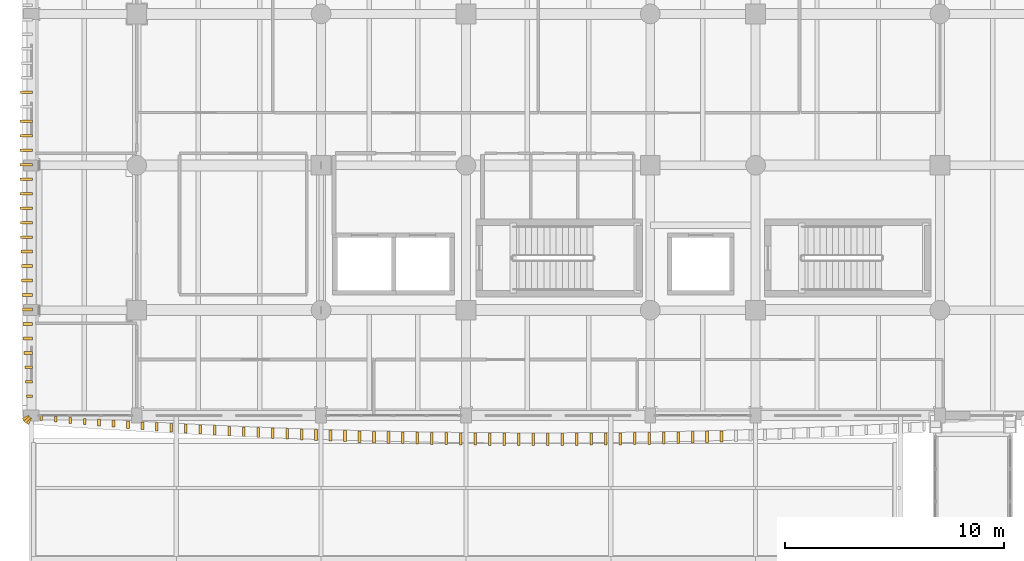
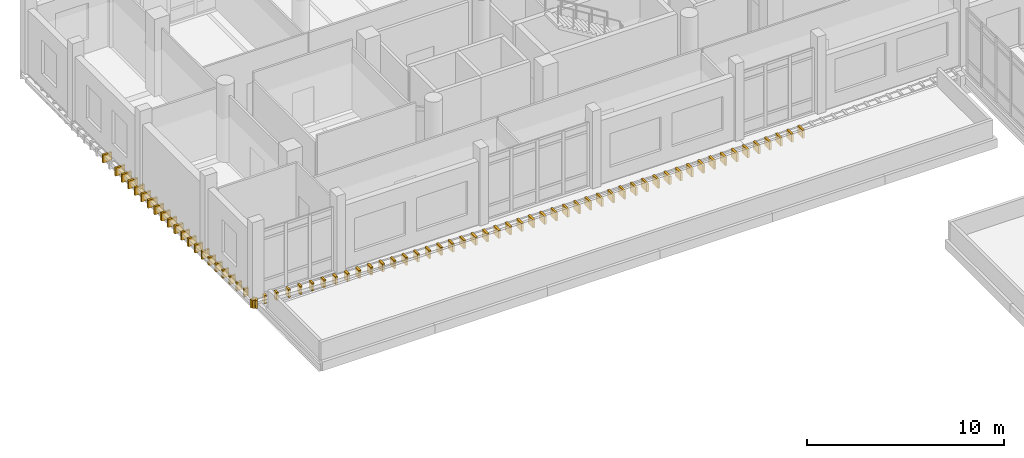
# One storey, part 119 of 125: 72 coverings.
"""IFC4 building model written with IfcOpenShell, lengths in metres."""

from ifc_helpers import new_model, si_unit, direction, frame, origin, origin_2d, place, context, subcontext, project, spatial, rectangle, extrude, material, layer, layer_set, type_object, element, save


model = new_model("IFC4")

# Units and contexts
model_context = context("Model", 3, precision=1e-05, world=origin(), true_north=direction((0.0, 1.0)))
body_context = subcontext(model_context, "Body", "Model", "MODEL_VIEW")
ifc_project = project(units=[si_unit("LENGTHUNIT", "METRE"), si_unit("AREAUNIT", "SQUARE_METRE"), si_unit("VOLUMEUNIT", "CUBIC_METRE"), si_unit("PLANEANGLEUNIT", "RADIAN"), si_unit("MASSUNIT", "GRAM", prefix="KILO")], contexts=[model_context])

# Site, building, storey
site_placement = place(None, origin())
site = spatial("IfcSite", under=ifc_project, at=site_placement, CompositionType="ELEMENT")
building_placement = place(site_placement, origin())
building = spatial("IfcBuilding", under=site, at=building_placement, Name="Dornvale Research Institute", CompositionType="ELEMENT")
storey_placement = place(building_placement, frame((0.0, 0.0, 5.39990234375)))
storey = spatial("IfcBuildingStorey", under=building, at=storey_placement, Name="L01", CompositionType="ELEMENT", Elevation=5.39990234375)

# Coverings
ifc_material = material(Name="Polychrome Glazed Terracotta Visor Rib Ceramic", Category="masonry")
ifc_layer = layer(ifc_material, 0.1201171875)
ifc_layer_set = layer_set([ifc_layer], Name="Polychrome Glazed Terracotta Visor Rib Ceramic")
covering_type = type_object("IfcCoveringType", Name="Covering_VisorBlade_Main", PredefinedType="CLADDING", material=ifc_layer_set)
covering_1_placement = place(storey_placement, frame((0.448974609375, 98.8916015625, -0.489990234375), z_axis=(0.0, 0.0, 1.0), x_axis=(0.0, 1.0, 0.0)))
element("IfcCovering", 1, at=covering_1_placement, inside=storey, type_object=covering_type, Name="L01 V5 canted glazed terracotta visor blade #1", PredefinedType="CLADDING", context=body_context, shape_type="SweptSolid", body=[
    extrude(rectangle(XDim=0.23291015625, YDim=0.1201171875, at=origin_2d()), origin(), (0.0, 0.0, 1.0), 0.5),
])
covering_2_placement = place(storey_placement, frame((1.107177734375, 98.83544921875, -0.489990234375), z_axis=(0.0, 0.0, 1.0), x_axis=(0.0, 1.0, 0.0)))
element("IfcCovering", 2, at=covering_2_placement, inside=storey, type_object=covering_type, Name="L01 V5 canted glazed terracotta visor blade #2", PredefinedType="CLADDING", context=body_context, shape_type="SweptSolid", body=[
    extrude(rectangle(XDim=0.251953125, YDim=0.1201171875, at=origin_2d()), origin(), (0.0, 0.0, 1.0), 0.5),
])
covering_3_placement = place(storey_placement, frame((1.765625, 98.7802734375, -0.489990234375), z_axis=(0.0, 0.0, 1.0), x_axis=(0.0, 1.0, 0.0)))
element("IfcCovering", 3, at=covering_3_placement, inside=storey, type_object=covering_type, Name="L01 V5 canted glazed terracotta visor blade #3", PredefinedType="CLADDING", context=body_context, shape_type="SweptSolid", body=[
    extrude(rectangle(XDim=0.27001953125, YDim=0.1201171875, at=origin_2d()), origin(), (0.0, 0.0, 1.0), 0.5),
])
covering_4_placement = place(storey_placement, frame((2.42431640625, 98.72802734375, -0.489990234375), z_axis=(0.0, 0.0, 1.0), x_axis=(0.0, 1.0, 0.0)))
element("IfcCovering", 4, at=covering_4_placement, inside=storey, type_object=covering_type, Name="L01 V5 canted glazed terracotta visor blade #4", PredefinedType="CLADDING", context=body_context, shape_type="SweptSolid", body=[
    extrude(rectangle(XDim=0.2880859375, YDim=0.1201171875, at=origin_2d()), origin(), (0.0, 0.0, 1.0), 0.5),
])
covering_5_placement = place(storey_placement, frame((3.082763671875, 98.67626953125, -0.489990234375), z_axis=(0.0, 0.0, 1.0), x_axis=(0.0, 1.0, 0.0)))
element("IfcCovering", 5, at=covering_5_placement, inside=storey, type_object=covering_type, Name="L01 V5 canted glazed terracotta visor blade #5", PredefinedType="CLADDING", context=body_context, shape_type="SweptSolid", body=[
    extrude(rectangle(XDim=0.304931640625, YDim=0.1201171875, at=origin_2d()), origin(), (0.0, 0.0, 1.0), 0.5),
])
covering_6_placement = place(storey_placement, frame((3.741455078125, 98.627197265625, -0.489990234375), z_axis=(0.0, 0.0, 1.0), x_axis=(0.0, 1.0, 0.0)))
element("IfcCovering", 6, at=covering_6_placement, inside=storey, type_object=covering_type, Name="L01 V5 canted glazed terracotta visor blade #6", PredefinedType="CLADDING", context=body_context, shape_type="SweptSolid", body=[
    extrude(rectangle(XDim=0.321044921875, YDim=0.1201171875, at=origin_2d()), origin(), (0.0, 0.0, 1.0), 0.5),
])
covering_7_placement = place(storey_placement, frame((4.400390625, 98.579345703125, -0.489990234375), z_axis=(0.0, 0.0, 1.0), x_axis=(0.0, 1.0, 0.0)))
element("IfcCovering", 7, at=covering_7_placement, inside=storey, type_object=covering_type, Name="L01 V5 canted glazed terracotta visor blade #7", PredefinedType="CLADDING", context=body_context, shape_type="SweptSolid", body=[
    extrude(rectangle(XDim=0.3369140625, YDim=0.1201171875, at=origin_2d()), origin(), (0.0, 0.0, 1.0), 0.5),
])
covering_8_placement = place(storey_placement, frame((5.05908203125, 98.5322265625, -0.489990234375), z_axis=(0.0, 0.0, 1.0), x_axis=(0.0, 1.0, 0.0)))
element("IfcCovering", 8, at=covering_8_placement, inside=storey, type_object=covering_type, Name="L01 V5 canted glazed terracotta visor blade #8", PredefinedType="CLADDING", context=body_context, shape_type="SweptSolid", body=[
    extrude(rectangle(XDim=0.35302734375, YDim=0.1201171875, at=origin_2d()), origin(), (0.0, 0.0, 1.0), 0.5),
])
covering_9_placement = place(storey_placement, frame((5.718017578125, 98.48828125, -0.489990234375), z_axis=(0.0, 0.0, 1.0), x_axis=(0.0, 1.0, 0.0)))
element("IfcCovering", 9, at=covering_9_placement, inside=storey, type_object=covering_type, Name="L01 V5 canted glazed terracotta visor blade #9", PredefinedType="CLADDING", context=body_context, shape_type="SweptSolid", body=[
    extrude(rectangle(XDim=0.367919921875, YDim=0.1201171875, at=origin_2d()), origin(), (0.0, 0.0, 1.0), 0.5),
])
covering_10_placement = place(storey_placement, frame((6.377197265625, 98.445068359375, -0.489990234375), z_axis=(0.0, 0.0, 1.0), x_axis=(0.0, 1.0, 0.0)))
element("IfcCovering", 10, at=covering_10_placement, inside=storey, type_object=covering_type, Name="L01 V5 canted glazed terracotta visor blade #10", PredefinedType="CLADDING", context=body_context, shape_type="SweptSolid", body=[
    extrude(rectangle(XDim=0.382080078125, YDim=0.1201171875, at=origin_2d()), origin(), (0.0, 0.0, 1.0), 0.5),
])
covering_11_placement = place(storey_placement, frame((7.0361328125, 98.40380859375, -0.489990234375), z_axis=(0.0, 0.0, 1.0), x_axis=(0.0, 1.0, 0.0)))
element("IfcCovering", 11, at=covering_11_placement, inside=storey, type_object=covering_type, Name="L01 V5 canted glazed terracotta visor blade #11", PredefinedType="CLADDING", context=body_context, shape_type="SweptSolid", body=[
    extrude(rectangle(XDim=0.39599609375, YDim=0.1201171875, at=origin_2d()), origin(), (0.0, 0.0, 1.0), 0.5),
])
covering_12_placement = place(storey_placement, frame((7.6953125, 98.364501953125, -0.489990234375), z_axis=(0.0, 0.0, 1.0), x_axis=(0.0, 1.0, 0.0)))
element("IfcCovering", 12, at=covering_12_placement, inside=storey, type_object=covering_type, Name="L01 V5 canted glazed terracotta visor blade #12", PredefinedType="CLADDING", context=body_context, shape_type="SweptSolid", body=[
    extrude(rectangle(XDim=0.408935546875, YDim=0.1201171875, at=origin_2d()), origin(), (0.0, 0.0, 1.0), 0.5),
])
covering_13_placement = place(storey_placement, frame((8.3544921875, 98.32568359375, -0.489990234375), z_axis=(0.0, 0.0, 1.0), x_axis=(0.0, 1.0, 0.0)))
element("IfcCovering", 13, at=covering_13_placement, inside=storey, type_object=covering_type, Name="L01 V5 canted glazed terracotta visor blade #13", PredefinedType="CLADDING", context=body_context, shape_type="SweptSolid", body=[
    extrude(rectangle(XDim=0.422119140625, YDim=0.1201171875, at=origin_2d()), origin(), (0.0, 0.0, 1.0), 0.5),
])
covering_14_placement = place(storey_placement, frame((9.013916015625, 98.290283203125, -0.489990234375), z_axis=(0.0, 0.0, 1.0), x_axis=(0.0, 1.0, 0.0)))
element("IfcCovering", 14, at=covering_14_placement, inside=storey, type_object=covering_type, Name="L01 V5 canted glazed terracotta visor blade #14", PredefinedType="CLADDING", context=body_context, shape_type="SweptSolid", body=[
    extrude(rectangle(XDim=0.43408203125, YDim=0.1201171875, at=origin_2d()), origin(), (0.0, 0.0, 1.0), 0.5),
])
covering_15_placement = place(storey_placement, frame((9.67333984375, 98.255126953125, -0.489990234375), z_axis=(0.0, 0.0, 1.0), x_axis=(0.0, 1.0, 0.0)))
element("IfcCovering", 15, at=covering_15_placement, inside=storey, type_object=covering_type, Name="L01 V5 canted glazed terracotta visor blade #15", PredefinedType="CLADDING", context=body_context, shape_type="SweptSolid", body=[
    extrude(rectangle(XDim=0.445068359375, YDim=0.1201171875, at=origin_2d()), origin(), (0.0, 0.0, 1.0), 0.5),
])
covering_16_placement = place(storey_placement, frame((10.332763671875, 98.222412109375, -0.489990234375), z_axis=(0.0, 0.0, 1.0), x_axis=(0.0, 1.0, 0.0)))
element("IfcCovering", 16, at=covering_16_placement, inside=storey, type_object=covering_type, Name="L01 V5 canted glazed terracotta visor blade #16", PredefinedType="CLADDING", context=body_context, shape_type="SweptSolid", body=[
    extrude(rectangle(XDim=0.4560546875, YDim=0.1201171875, at=origin_2d()), origin(), (0.0, 0.0, 1.0), 0.5),
])
covering_17_placement = place(storey_placement, frame((10.9921875, 98.19091796875, -0.489990234375), z_axis=(0.0, 0.0, 1.0), x_axis=(0.0, 1.0, 0.0)))
element("IfcCovering", 17, at=covering_17_placement, inside=storey, type_object=covering_type, Name="L01 V5 canted glazed terracotta visor blade #17", PredefinedType="CLADDING", context=body_context, shape_type="SweptSolid", body=[
    extrude(rectangle(XDim=0.467041015625, YDim=0.1201171875, at=origin_2d()), origin(), (0.0, 0.0, 1.0), 0.5),
])
covering_18_placement = place(storey_placement, frame((11.651611328125, 98.160400390625, -0.489990234375), z_axis=(0.0, 0.0, 1.0), x_axis=(0.0, 1.0, 0.0)))
element("IfcCovering", 18, at=covering_18_placement, inside=storey, type_object=covering_type, Name="L01 V5 canted glazed terracotta visor blade #18", PredefinedType="CLADDING", context=body_context, shape_type="SweptSolid", body=[
    extrude(rectangle(XDim=0.47705078125, YDim=0.1201171875, at=origin_2d()), origin(), (0.0, 0.0, 1.0), 0.5),
])
covering_19_placement = place(storey_placement, frame((12.311279296875, 98.133544921875, -0.489990234375), z_axis=(0.0, 0.0, 1.0), x_axis=(0.0, 1.0, 0.0)))
element("IfcCovering", 19, at=covering_19_placement, inside=storey, type_object=covering_type, Name="L01 V5 canted glazed terracotta visor blade #19", PredefinedType="CLADDING", context=body_context, shape_type="SweptSolid", body=[
    extrude(rectangle(XDim=0.486083984375, YDim=0.1201171875, at=origin_2d()), origin(), (0.0, 0.0, 1.0), 0.5),
])
covering_20_placement = place(storey_placement, frame((12.970947265625, 98.1064453125, -0.489990234375), z_axis=(0.0, 0.0, 1.0), x_axis=(0.0, 1.0, 0.0)))
element("IfcCovering", 20, at=covering_20_placement, inside=storey, type_object=covering_type, Name="L01 V5 canted glazed terracotta visor blade #20", PredefinedType="CLADDING", context=body_context, shape_type="SweptSolid", body=[
    extrude(rectangle(XDim=0.4951171875, YDim=0.1201171875, at=origin_2d()), origin(), (0.0, 0.0, 1.0), 0.5),
])
covering_21_placement = place(storey_placement, frame((13.630615234375, 98.082275390625, -0.489990234375), z_axis=(0.0, 0.0, 1.0), x_axis=(0.0, 1.0, 0.0)))
element("IfcCovering", 21, at=covering_21_placement, inside=storey, type_object=covering_type, Name="L01 V5 canted glazed terracotta visor blade #21", PredefinedType="CLADDING", context=body_context, shape_type="SweptSolid", body=[
    extrude(rectangle(XDim=0.5029296875, YDim=0.1201171875, at=origin_2d()), origin(), (0.0, 0.0, 1.0), 0.5),
])
covering_22_placement = place(storey_placement, frame((14.290283203125, 98.05908203125, -0.489990234375), z_axis=(0.0, 0.0, 1.0), x_axis=(0.0, 1.0, 0.0)))
element("IfcCovering", 22, at=covering_22_placement, inside=storey, type_object=covering_type, Name="L01 V5 canted glazed terracotta visor blade #22", PredefinedType="CLADDING", context=body_context, shape_type="SweptSolid", body=[
    extrude(rectangle(XDim=0.510986328125, YDim=0.1201171875, at=origin_2d()), origin(), (0.0, 0.0, 1.0), 0.5),
])
covering_23_placement = place(storey_placement, frame((14.9501953125, 98.037109375, -0.489990234375), z_axis=(0.0, 0.0, 1.0), x_axis=(0.0, 1.0, 0.0)))
element("IfcCovering", 23, at=covering_23_placement, inside=storey, type_object=covering_type, Name="L01 V5 canted glazed terracotta visor blade #23", PredefinedType="CLADDING", context=body_context, shape_type="SweptSolid", body=[
    extrude(rectangle(XDim=0.51806640625, YDim=0.1201171875, at=origin_2d()), origin(), (0.0, 0.0, 1.0), 0.5),
])
covering_24_placement = place(storey_placement, frame((15.60986328125, 98.018310546875, -0.489990234375), z_axis=(0.0, 0.0, 1.0), x_axis=(0.0, 1.0, 0.0)))
element("IfcCovering", 24, at=covering_24_placement, inside=storey, type_object=covering_type, Name="L01 V5 canted glazed terracotta visor blade #24", PredefinedType="CLADDING", context=body_context, shape_type="SweptSolid", body=[
    extrude(rectangle(XDim=0.52392578125, YDim=0.1201171875, at=origin_2d()), origin(), (0.0, 0.0, 1.0), 0.5),
])
covering_25_placement = place(storey_placement, frame((16.269775390625, 97.999755859375, -0.489990234375), z_axis=(0.0, 0.0, 1.0), x_axis=(0.0, 1.0, 0.0)))
element("IfcCovering", 25, at=covering_25_placement, inside=storey, type_object=covering_type, Name="L01 V5 canted glazed terracotta visor blade #25", PredefinedType="CLADDING", context=body_context, shape_type="SweptSolid", body=[
    extrude(rectangle(XDim=0.530029296875, YDim=0.1201171875, at=origin_2d()), origin(), (0.0, 0.0, 1.0), 0.5),
])
covering_26_placement = place(storey_placement, frame((16.9296875, 97.9833984375, -0.489990234375), z_axis=(0.0, 0.0, 1.0), x_axis=(0.0, 1.0, 0.0)))
element("IfcCovering", 26, at=covering_26_placement, inside=storey, type_object=covering_type, Name="L01 V5 canted glazed terracotta visor blade #26", PredefinedType="CLADDING", context=body_context, shape_type="SweptSolid", body=[
    extrude(rectangle(XDim=0.535888671875, YDim=0.1201171875, at=origin_2d()), origin(), (0.0, 0.0, 1.0), 0.5),
])
covering_27_placement = place(storey_placement, frame((17.589599609375, 97.96875, -0.489990234375), z_axis=(0.0, 0.0, 1.0), x_axis=(0.0, 1.0, 0.0)))
element("IfcCovering", 27, at=covering_27_placement, inside=storey, type_object=covering_type, Name="L01 V5 canted glazed terracotta visor blade #27", PredefinedType="CLADDING", context=body_context, shape_type="SweptSolid", body=[
    extrude(rectangle(XDim=0.541015625, YDim=0.1201171875, at=origin_2d()), origin(), (0.0, 0.0, 1.0), 0.5),
])
covering_28_placement = place(storey_placement, frame((18.24951171875, 97.955078125, -0.489990234375), z_axis=(0.0, 0.0, 1.0), x_axis=(0.0, 1.0, 0.0)))
element("IfcCovering", 28, at=covering_28_placement, inside=storey, type_object=covering_type, Name="L01 V5 canted glazed terracotta visor blade #28", PredefinedType="CLADDING", context=body_context, shape_type="SweptSolid", body=[
    extrude(rectangle(XDim=0.544921875, YDim=0.1201171875, at=origin_2d()), origin(), (0.0, 0.0, 1.0), 0.5),
])
covering_29_placement = place(storey_placement, frame((18.9091796875, 97.944580078125, -0.489990234375), z_axis=(0.0, 0.0, 1.0), x_axis=(0.0, 1.0, 0.0)))
element("IfcCovering", 29, at=covering_29_placement, inside=storey, type_object=covering_type, Name="L01 V5 canted glazed terracotta visor blade #29", PredefinedType="CLADDING", context=body_context, shape_type="SweptSolid", body=[
    extrude(rectangle(XDim=0.549072265625, YDim=0.1201171875, at=origin_2d()), origin(), (0.0, 0.0, 1.0), 0.5),
])
covering_30_placement = place(storey_placement, frame((19.5693359375, 97.934326171875, -0.489990234375), z_axis=(0.0, 0.0, 1.0), x_axis=(0.0, 1.0, 0.0)))
element("IfcCovering", 30, at=covering_30_placement, inside=storey, type_object=covering_type, Name="L01 V5 canted glazed terracotta visor blade #30", PredefinedType="CLADDING", context=body_context, shape_type="SweptSolid", body=[
    extrude(rectangle(XDim=0.552001953125, YDim=0.1201171875, at=origin_2d()), origin(), (0.0, 0.0, 1.0), 0.5),
])
covering_31_placement = place(storey_placement, frame((20.229248046875, 97.926513671875, -0.489990234375), z_axis=(0.0, 0.0, 1.0), x_axis=(0.0, 1.0, 0.0)))
element("IfcCovering", 31, at=covering_31_placement, inside=storey, type_object=covering_type, Name="L01 V5 canted glazed terracotta visor blade #31", PredefinedType="CLADDING", context=body_context, shape_type="SweptSolid", body=[
    extrude(rectangle(XDim=0.554931640625, YDim=0.1201171875, at=origin_2d()), origin(), (0.0, 0.0, 1.0), 0.5),
])
covering_32_placement = place(storey_placement, frame((20.88916015625, 97.920166015625, -0.489990234375), z_axis=(0.0, 0.0, 1.0), x_axis=(0.0, 1.0, 0.0)))
element("IfcCovering", 32, at=covering_32_placement, inside=storey, type_object=covering_type, Name="L01 V5 canted glazed terracotta visor blade #32", PredefinedType="CLADDING", context=body_context, shape_type="SweptSolid", body=[
    extrude(rectangle(XDim=0.556884765625, YDim=0.1201171875, at=origin_2d()), origin(), (0.0, 0.0, 1.0), 0.5),
])
covering_33_placement = place(storey_placement, frame((21.54931640625, 97.9150390625, -0.489990234375), z_axis=(0.0, 0.0, 1.0), x_axis=(0.0, 1.0, 0.0)))
element("IfcCovering", 33, at=covering_33_placement, inside=storey, type_object=covering_type, Name="L01 V5 canted glazed terracotta visor blade #33", PredefinedType="CLADDING", context=body_context, shape_type="SweptSolid", body=[
    extrude(rectangle(XDim=0.55810546875, YDim=0.1201171875, at=origin_2d()), origin(), (0.0, 0.0, 1.0), 0.5),
])
covering_34_placement = place(storey_placement, frame((22.209228515625, 97.912841796875, -0.489990234375), z_axis=(0.0, 0.0, 1.0), x_axis=(0.0, 1.0, 0.0)))
element("IfcCovering", 34, at=covering_34_placement, inside=storey, type_object=covering_type, Name="L01 V5 canted glazed terracotta visor blade #34", PredefinedType="CLADDING", context=body_context, shape_type="SweptSolid", body=[
    extrude(rectangle(XDim=0.55908203125, YDim=0.1201171875, at=origin_2d()), origin(), (0.0, 0.0, 1.0), 0.5),
])
for number, where, z_axis, x_axis, name in (
    (35, (22.869140625, 97.91064453125, -0.489990234375), (0.0, 0.0, 1.0), (0.0, 1.0, 0.0), "L01 V5 canted glazed terracotta visor blade #35"),
    (36, (23.529296875, 97.9111328125, -0.489990234375), (0.0, 0.0, 1.0), (0.0, 1.0, 0.0), "L01 V5 canted glazed terracotta visor blade #36"),
):
    element("IfcCovering", number, at=place(storey_placement, frame(where, z_axis=z_axis, x_axis=x_axis)), inside=storey, type_object=covering_type, Name=name, PredefinedType="CLADDING", context=body_context, shape_type="SweptSolid", body=[
        extrude(rectangle(XDim=0.56005859375, YDim=0.1201171875, at=origin_2d()), origin(), (0.0, 0.0, 1.0), 0.5),
    ])
covering_35_placement = place(storey_placement, frame((24.189208984375, 97.913330078125, -0.489990234375), z_axis=(0.0, 0.0, 1.0), x_axis=(0.0, 1.0, 0.0)))
element("IfcCovering", 37, at=covering_35_placement, inside=storey, type_object=covering_type, Name="L01 V5 canted glazed terracotta visor blade #37", PredefinedType="CLADDING", context=body_context, shape_type="SweptSolid", body=[
    extrude(rectangle(XDim=0.55908203125, YDim=0.1201171875, at=origin_2d()), origin(), (0.0, 0.0, 1.0), 0.5),
])
covering_36_placement = place(storey_placement, frame((24.84912109375, 97.916015625, -0.489990234375), z_axis=(0.0, 0.0, 1.0), x_axis=(0.0, 1.0, 0.0)))
element("IfcCovering", 38, at=covering_36_placement, inside=storey, type_object=covering_type, Name="L01 V5 canted glazed terracotta visor blade #38", PredefinedType="CLADDING", context=body_context, shape_type="SweptSolid", body=[
    extrude(rectangle(XDim=0.55810546875, YDim=0.1201171875, at=origin_2d()), origin(), (0.0, 0.0, 1.0), 0.5),
])
covering_37_placement = place(storey_placement, frame((25.50927734375, 97.92236328125, -0.489990234375), z_axis=(0.0, 0.0, 1.0), x_axis=(0.0, 1.0, 0.0)))
element("IfcCovering", 39, at=covering_37_placement, inside=storey, type_object=covering_type, Name="L01 V5 canted glazed terracotta visor blade #39", PredefinedType="CLADDING", context=body_context, shape_type="SweptSolid", body=[
    extrude(rectangle(XDim=0.555908203125, YDim=0.1201171875, at=origin_2d()), origin(), (0.0, 0.0, 1.0), 0.5),
])
covering_38_placement = place(storey_placement, frame((26.169189453125, 97.928466796875, -0.489990234375), z_axis=(0.0, 0.0, 1.0), x_axis=(0.0, 1.0, 0.0)))
element("IfcCovering", 40, at=covering_38_placement, inside=storey, type_object=covering_type, Name="L01 V5 canted glazed terracotta visor blade #40", PredefinedType="CLADDING", context=body_context, shape_type="SweptSolid", body=[
    extrude(rectangle(XDim=0.553955078125, YDim=0.1201171875, at=origin_2d()), origin(), (0.0, 0.0, 1.0), 0.5),
])
covering_39_placement = place(storey_placement, frame((26.8291015625, 97.9375, -0.489990234375), z_axis=(0.0, 0.0, 1.0), x_axis=(0.0, 1.0, 0.0)))
element("IfcCovering", 41, at=covering_39_placement, inside=storey, type_object=covering_type, Name="L01 V5 canted glazed terracotta visor blade #41", PredefinedType="CLADDING", context=body_context, shape_type="SweptSolid", body=[
    extrude(rectangle(XDim=0.551025390625, YDim=0.1201171875, at=origin_2d()), origin(), (0.0, 0.0, 1.0), 0.5),
])
covering_40_placement = place(storey_placement, frame((27.489013671875, 97.947509765625, -0.489990234375), z_axis=(0.0, 0.0, 1.0), x_axis=(0.0, 1.0, 0.0)))
element("IfcCovering", 42, at=covering_40_placement, inside=storey, type_object=covering_type, Name="L01 V5 canted glazed terracotta visor blade #42", PredefinedType="CLADDING", context=body_context, shape_type="SweptSolid", body=[
    extrude(rectangle(XDim=0.548095703125, YDim=0.1201171875, at=origin_2d()), origin(), (0.0, 0.0, 1.0), 0.5),
])
covering_41_placement = place(storey_placement, frame((28.14892578125, 97.958740234375, -0.489990234375), z_axis=(0.0, 0.0, 1.0), x_axis=(0.0, 1.0, 0.0)))
element("IfcCovering", 43, at=covering_41_placement, inside=storey, type_object=covering_type, Name="L01 V5 canted glazed terracotta visor blade #43", PredefinedType="CLADDING", context=body_context, shape_type="SweptSolid", body=[
    extrude(rectangle(XDim=0.5439453125, YDim=0.1201171875, at=origin_2d()), origin(), (0.0, 0.0, 1.0), 0.5),
])
covering_42_placement = place(storey_placement, frame((28.808837890625, 97.973388671875, -0.489990234375), z_axis=(0.0, 0.0, 1.0), x_axis=(0.0, 1.0, 0.0)))
element("IfcCovering", 44, at=covering_42_placement, inside=storey, type_object=covering_type, Name="L01 V5 canted glazed terracotta visor blade #44", PredefinedType="CLADDING", context=body_context, shape_type="SweptSolid", body=[
    extrude(rectangle(XDim=0.5390625, YDim=0.1201171875, at=origin_2d()), origin(), (0.0, 0.0, 1.0), 0.5),
])
covering_43_placement = place(storey_placement, frame((29.46875, 97.988037109375, -0.489990234375), z_axis=(0.0, 0.0, 1.0), x_axis=(0.0, 1.0, 0.0)))
element("IfcCovering", 45, at=covering_43_placement, inside=storey, type_object=covering_type, Name="L01 V5 canted glazed terracotta visor blade #45", PredefinedType="CLADDING", context=body_context, shape_type="SweptSolid", body=[
    extrude(rectangle(XDim=0.533935546875, YDim=0.1201171875, at=origin_2d()), origin(), (0.0, 0.0, 1.0), 0.5),
])
covering_44_placement = place(storey_placement, frame((30.128662109375, 98.0048828125, -0.489990234375), z_axis=(0.0, 0.0, 1.0), x_axis=(0.0, 1.0, 0.0)))
element("IfcCovering", 46, at=covering_44_placement, inside=storey, type_object=covering_type, Name="L01 V5 canted glazed terracotta visor blade #46", PredefinedType="CLADDING", context=body_context, shape_type="SweptSolid", body=[
    extrude(rectangle(XDim=0.529052734375, YDim=0.1201171875, at=origin_2d()), origin(), (0.0, 0.0, 1.0), 0.5),
])
covering_45_placement = place(storey_placement, frame((30.788330078125, 98.024169921875, -0.489990234375), z_axis=(0.0, 0.0, 1.0), x_axis=(0.0, 1.0, 0.0)))
element("IfcCovering", 47, at=covering_45_placement, inside=storey, type_object=covering_type, Name="L01 V5 canted glazed terracotta visor blade #47", PredefinedType="CLADDING", context=body_context, shape_type="SweptSolid", body=[
    extrude(rectangle(XDim=0.52197265625, YDim=0.1201171875, at=origin_2d()), origin(), (0.0, 0.0, 1.0), 0.5),
])
covering_46_placement = place(storey_placement, frame((31.4482421875, 98.043212890625, -0.489990234375), z_axis=(0.0, 0.0, 1.0), x_axis=(0.0, 1.0, 0.0)))
element("IfcCovering", 48, at=covering_46_placement, inside=storey, type_object=covering_type, Name="L01 V5 canted glazed terracotta visor blade #48", PredefinedType="CLADDING", context=body_context, shape_type="SweptSolid", body=[
    extrude(rectangle(XDim=0.51611328125, YDim=0.1201171875, at=origin_2d()), origin(), (0.0, 0.0, 1.0), 0.5),
])
covering_47_placement = place(storey_placement, frame((-0.22705078125, 113.72998046875, -0.489990234375), z_axis=(0.0, 0.0, 1.0), x_axis=(1.0, 0.0, 0.0)))
element("IfcCovering", 49, at=covering_47_placement, inside=storey, type_object=covering_type, Name="L01 V5 canted glazed terracotta visor blade #172", PredefinedType="CLADDING", context=body_context, shape_type="SweptSolid", body=[
    extrude(rectangle(XDim=0.533935546875, YDim=0.1201171875, at=origin_2d()), origin(), (0.0, 0.0, 1.0), 0.5),
])
covering_48_placement = place(storey_placement, frame((-0.235595703125, 112.409912109375, -0.489990234375), z_axis=(0.0, 0.0, 1.0), x_axis=(1.0, 0.0, 0.0)))
element("IfcCovering", 50, at=covering_48_placement, inside=storey, type_object=covering_type, Name="L01 V5 canted glazed terracotta visor blade #174", PredefinedType="CLADDING", context=body_context, shape_type="SweptSolid", body=[
    extrude(rectangle(XDim=0.551025390625, YDim=0.1201171875, at=origin_2d()), origin(), (0.0, 0.0, 1.0), 0.5),
])
covering_49_placement = place(storey_placement, frame((-0.238037109375, 111.75, -0.489990234375), z_axis=(0.0, 0.0, 1.0), x_axis=(1.0, 0.0, 0.0)))
element("IfcCovering", 51, at=covering_49_placement, inside=storey, type_object=covering_type, Name="L01 V5 canted glazed terracotta visor blade #175", PredefinedType="CLADDING", context=body_context, shape_type="SweptSolid", body=[
    extrude(rectangle(XDim=0.555908203125, YDim=0.1201171875, at=origin_2d()), origin(), (0.0, 0.0, 1.0), 0.5),
])
covering_50_placement = place(storey_placement, frame((-0.239501953125, 111.090087890625, -0.489990234375), z_axis=(0.0, 0.0, 1.0), x_axis=(1.0, 0.0, 0.0)))
element("IfcCovering", 52, at=covering_50_placement, inside=storey, type_object=covering_type, Name="L01 V5 canted glazed terracotta visor blade #176", PredefinedType="CLADDING", context=body_context, shape_type="SweptSolid", body=[
    extrude(rectangle(XDim=0.55908203125, YDim=0.1201171875, at=origin_2d()), origin(), (0.0, 0.0, 1.0), 0.5),
])
covering_51_placement = place(storey_placement, frame((-0.239990234375, 110.429931640625, -0.489990234375), z_axis=(0.0, 0.0, 1.0), x_axis=(1.0, 0.0, 0.0)))
element("IfcCovering", 53, at=covering_51_placement, inside=storey, type_object=covering_type, Name="L01 V5 canted glazed terracotta visor blade #177", PredefinedType="CLADDING", context=body_context, shape_type="SweptSolid", body=[
    extrude(rectangle(XDim=0.56005859375, YDim=0.1201171875, at=origin_2d()), origin(), (0.0, 0.0, 1.0), 0.5),
])
covering_52_placement = place(storey_placement, frame((-0.239013671875, 109.77001953125, -0.489990234375), z_axis=(0.0, 0.0, 1.0), x_axis=(1.0, 0.0, 0.0)))
element("IfcCovering", 54, at=covering_52_placement, inside=storey, type_object=covering_type, Name="L01 V5 canted glazed terracotta visor blade #178", PredefinedType="CLADDING", context=body_context, shape_type="SweptSolid", body=[
    extrude(rectangle(XDim=0.55810546875, YDim=0.1201171875, at=origin_2d()), origin(), (0.0, 0.0, 1.0), 0.5),
])
covering_53_placement = place(storey_placement, frame((-0.237548828125, 109.110107421875, -0.489990234375), z_axis=(0.0, 0.0, 1.0), x_axis=(1.0, 0.0, 0.0)))
element("IfcCovering", 55, at=covering_53_placement, inside=storey, type_object=covering_type, Name="L01 V5 canted glazed terracotta visor blade #179", PredefinedType="CLADDING", context=body_context, shape_type="SweptSolid", body=[
    extrude(rectangle(XDim=0.554931640625, YDim=0.1201171875, at=origin_2d()), origin(), (0.0, 0.0, 1.0), 0.5),
])
covering_54_placement = place(storey_placement, frame((-0.234619140625, 108.449951171875, -0.489990234375), z_axis=(0.0, 0.0, 1.0), x_axis=(1.0, 0.0, 0.0)))
element("IfcCovering", 56, at=covering_54_placement, inside=storey, type_object=covering_type, Name="L01 V5 canted glazed terracotta visor blade #180", PredefinedType="CLADDING", context=body_context, shape_type="SweptSolid", body=[
    extrude(rectangle(XDim=0.549072265625, YDim=0.1201171875, at=origin_2d()), origin(), (0.0, 0.0, 1.0), 0.5),
])
covering_55_placement = place(storey_placement, frame((-0.23046875, 107.7900390625, -0.489990234375), z_axis=(0.0, 0.0, 1.0), x_axis=(1.0, 0.0, 0.0)))
element("IfcCovering", 57, at=covering_55_placement, inside=storey, type_object=covering_type, Name="L01 V5 canted glazed terracotta visor blade #181", PredefinedType="CLADDING", context=body_context, shape_type="SweptSolid", body=[
    extrude(rectangle(XDim=0.541015625, YDim=0.1201171875, at=origin_2d()), origin(), (0.0, 0.0, 1.0), 0.5),
])
covering_56_placement = place(storey_placement, frame((-0.22509765625, 107.1298828125, -0.489990234375), z_axis=(0.0, 0.0, 1.0), x_axis=(1.0, 0.0, 0.0)))
element("IfcCovering", 58, at=covering_56_placement, inside=storey, type_object=covering_type, Name="L01 V5 canted glazed terracotta visor blade #182", PredefinedType="CLADDING", context=body_context, shape_type="SweptSolid", body=[
    extrude(rectangle(XDim=0.530029296875, YDim=0.1201171875, at=origin_2d()), origin(), (0.0, 0.0, 1.0), 0.5),
])
covering_57_placement = place(storey_placement, frame((-0.218994140625, 106.469970703125, -0.489990234375), z_axis=(0.0, 0.0, 1.0), x_axis=(1.0, 0.0, 0.0)))
element("IfcCovering", 59, at=covering_57_placement, inside=storey, type_object=covering_type, Name="L01 V5 canted glazed terracotta visor blade #183", PredefinedType="CLADDING", context=body_context, shape_type="SweptSolid", body=[
    extrude(rectangle(XDim=0.51806640625, YDim=0.1201171875, at=origin_2d()), origin(), (0.0, 0.0, 1.0), 0.5),
])
covering_58_placement = place(storey_placement, frame((-0.21142578125, 105.81005859375, -0.489990234375), z_axis=(0.0, 0.0, 1.0), x_axis=(1.0, 0.0, 0.0)))
element("IfcCovering", 60, at=covering_58_placement, inside=storey, type_object=covering_type, Name="L01 V5 canted glazed terracotta visor blade #184", PredefinedType="CLADDING", context=body_context, shape_type="SweptSolid", body=[
    extrude(rectangle(XDim=0.5029296875, YDim=0.1201171875, at=origin_2d()), origin(), (0.0, 0.0, 1.0), 0.5),
])
covering_59_placement = place(storey_placement, frame((-0.202880859375, 105.14990234375, -0.489990234375), z_axis=(0.0, 0.0, 1.0), x_axis=(1.0, 0.0, 0.0)))
element("IfcCovering", 61, at=covering_59_placement, inside=storey, type_object=covering_type, Name="L01 V5 canted glazed terracotta visor blade #185", PredefinedType="CLADDING", context=body_context, shape_type="SweptSolid", body=[
    extrude(rectangle(XDim=0.486083984375, YDim=0.1201171875, at=origin_2d()), origin(), (0.0, 0.0, 1.0), 0.5),
])
covering_60_placement = place(storey_placement, frame((-0.193115234375, 104.489990234375, -0.489990234375), z_axis=(0.0, 0.0, 1.0), x_axis=(1.0, 0.0, 0.0)))
element("IfcCovering", 62, at=covering_60_placement, inside=storey, type_object=covering_type, Name="L01 V5 canted glazed terracotta visor blade #186", PredefinedType="CLADDING", context=body_context, shape_type="SweptSolid", body=[
    extrude(rectangle(XDim=0.466064453125, YDim=0.1201171875, at=origin_2d()), origin(), (0.0, 0.0, 1.0), 0.5),
])
covering_61_placement = place(storey_placement, frame((-0.1826171875, 103.830078125, -0.489990234375), z_axis=(0.0, 0.0, 1.0), x_axis=(1.0, 0.0, 0.0)))
element("IfcCovering", 63, at=covering_61_placement, inside=storey, type_object=covering_type, Name="L01 V5 canted glazed terracotta visor blade #187", PredefinedType="CLADDING", context=body_context, shape_type="SweptSolid", body=[
    extrude(rectangle(XDim=0.445068359375, YDim=0.1201171875, at=origin_2d()), origin(), (0.0, 0.0, 1.0), 0.5),
])
covering_62_placement = place(storey_placement, frame((-0.17041015625, 103.169921875, -0.489990234375), z_axis=(0.0, 0.0, 1.0), x_axis=(1.0, 0.0, 0.0)))
element("IfcCovering", 64, at=covering_62_placement, inside=storey, type_object=covering_type, Name="L01 V5 canted glazed terracotta visor blade #188", PredefinedType="CLADDING", context=body_context, shape_type="SweptSolid", body=[
    extrude(rectangle(XDim=0.4208984375, YDim=0.1201171875, at=origin_2d()), origin(), (0.0, 0.0, 1.0), 0.5),
])
covering_63_placement = place(storey_placement, frame((-0.157470703125, 102.510009765625, -0.489990234375), z_axis=(0.0, 0.0, 1.0), x_axis=(1.0, 0.0, 0.0)))
element("IfcCovering", 65, at=covering_63_placement, inside=storey, type_object=covering_type, Name="L01 V5 canted glazed terracotta visor blade #189", PredefinedType="CLADDING", context=body_context, shape_type="SweptSolid", body=[
    extrude(rectangle(XDim=0.39501953125, YDim=0.1201171875, at=origin_2d()), origin(), (0.0, 0.0, 1.0), 0.5),
])
covering_64_placement = place(storey_placement, frame((-0.1435546875, 101.85009765625, -0.489990234375), z_axis=(0.0, 0.0, 1.0), x_axis=(1.0, 0.0, 0.0)))
element("IfcCovering", 66, at=covering_64_placement, inside=storey, type_object=covering_type, Name="L01 V5 canted glazed terracotta visor blade #190", PredefinedType="CLADDING", context=body_context, shape_type="SweptSolid", body=[
    extrude(rectangle(XDim=0.366943359375, YDim=0.1201171875, at=origin_2d()), origin(), (0.0, 0.0, 1.0), 0.5),
])
covering_65_placement = place(storey_placement, frame((-0.12841796875, 101.18994140625, -0.489990234375), z_axis=(0.0, 0.0, 1.0), x_axis=(1.0, 0.0, 0.0)))
element("IfcCovering", 67, at=covering_65_placement, inside=storey, type_object=covering_type, Name="L01 V5 canted glazed terracotta visor blade #191", PredefinedType="CLADDING", context=body_context, shape_type="SweptSolid", body=[
    extrude(rectangle(XDim=0.3369140625, YDim=0.1201171875, at=origin_2d()), origin(), (0.0, 0.0, 1.0), 0.5),
])
covering_66_placement = place(storey_placement, frame((-0.112060546875, 100.530029296875, -0.489990234375), z_axis=(0.0, 0.0, 1.0), x_axis=(1.0, 0.0, 0.0)))
element("IfcCovering", 68, at=covering_66_placement, inside=storey, type_object=covering_type, Name="L01 V5 canted glazed terracotta visor blade #192", PredefinedType="CLADDING", context=body_context, shape_type="SweptSolid", body=[
    extrude(rectangle(XDim=0.303955078125, YDim=0.1201171875, at=origin_2d()), origin(), (0.0, 0.0, 1.0), 0.5),
])
covering_67_placement = place(storey_placement, frame((-0.094482421875, 99.8701171875, -0.489990234375), z_axis=(0.0, 0.0, 1.0), x_axis=(1.0, 0.0, 0.0)))
element("IfcCovering", 69, at=covering_67_placement, inside=storey, type_object=covering_type, Name="L01 V5 canted glazed terracotta visor blade #193", PredefinedType="CLADDING", context=body_context, shape_type="SweptSolid", body=[
    extrude(rectangle(XDim=0.26904296875, YDim=0.1201171875, at=origin_2d()), origin(), (0.0, 0.0, 1.0), 0.5),
])
for number, where, z_axis, x_axis, name in (
    (70, (-0.24462890625, 98.885986328125, -0.489990234375), (0.0, 0.0, 1.0), (-0.906307787037, -0.422618261741, 0.0), "L01 V5 corner-wrapping visor blade #194"),
    (71, (-0.19091796875, 98.80908203125, -0.489990234375), (0.0, 0.0, 1.0), (-0.707106781187, -0.707106781187, 0.0), "L01 V5 corner-wrapping visor blade #195"),
    (72, (-0.114013671875, 98.75537109375, -0.489990234375), (0.0, 0.0, 1.0), (-0.422618261741, -0.906307787037, 0.0), "L01 V5 corner-wrapping visor blade #196"),
):
    element("IfcCovering", number, at=place(storey_placement, frame(where, z_axis=z_axis, x_axis=x_axis)), inside=storey, type_object=covering_type, Name=name, PredefinedType="CLADDING", context=body_context, shape_type="SweptSolid", body=[
        extrude(rectangle(XDim=0.320068359375, YDim=0.1201171875, at=origin_2d()), origin(), (0.0, 0.0, 1.0), 0.5),
    ])

save(model, "model.ifc")
